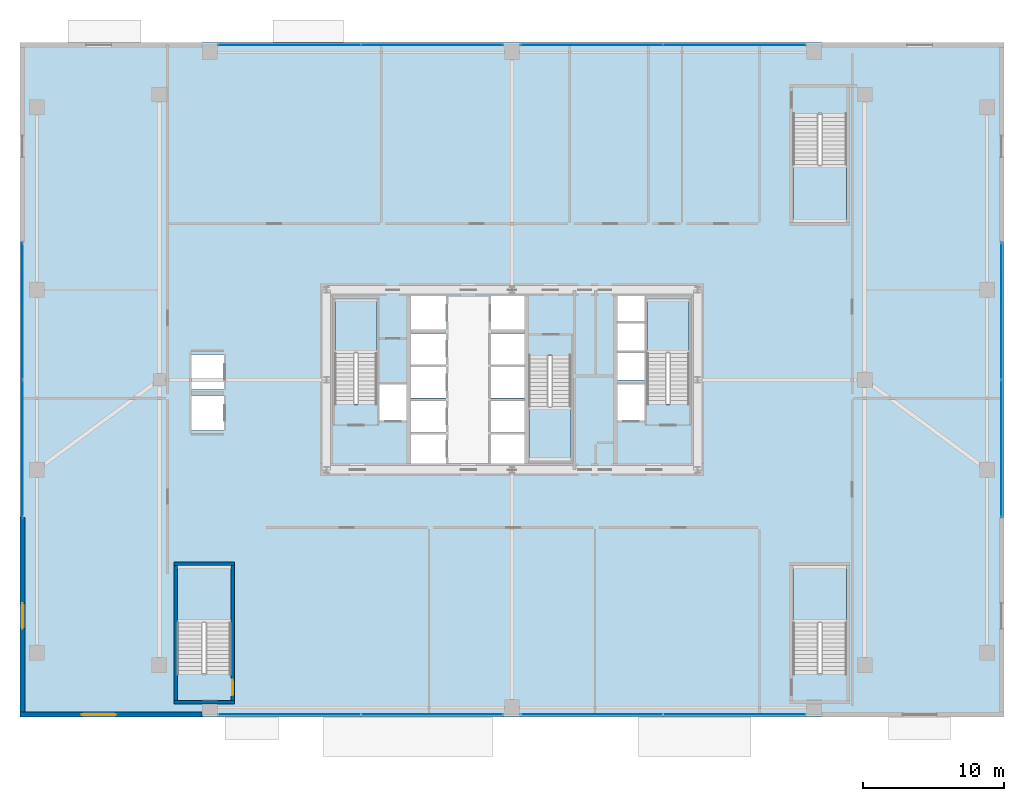
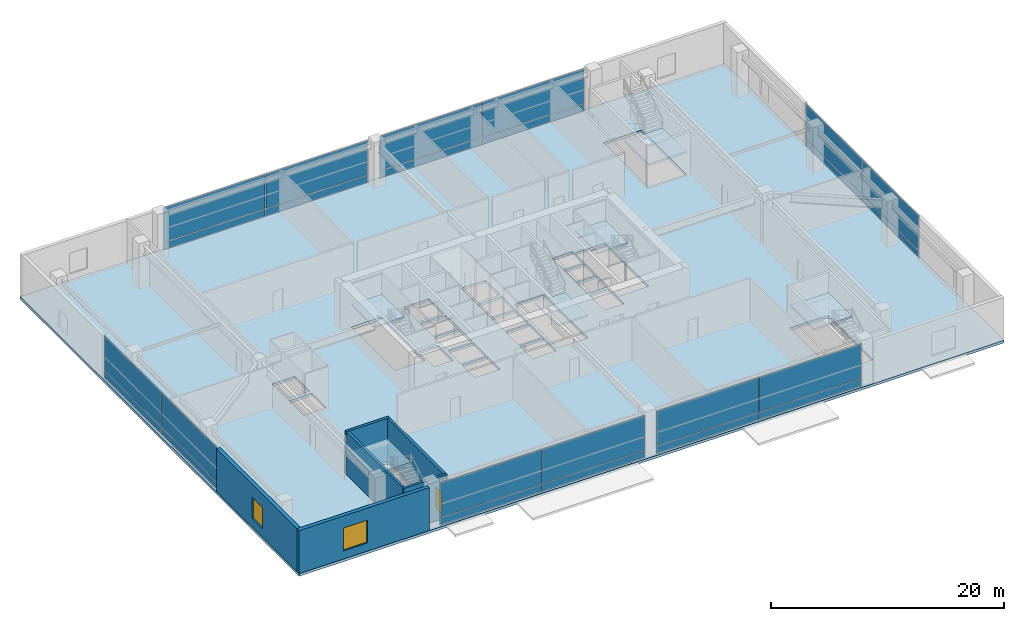
# One storey, part 30 of 37: 24 plates, 7 slabs, 6 walls, 2 windows, 1 door, 3 openings, 12 elements without a shape of their own.
"""IFC4 building model written with IfcOpenShell, lengths in metres."""

import ifcopenshell
import ifcopenshell.guid

model = None  # the IFC model being written
_history = None  # IfcOwnerHistory: only IFC2X3 demands one
_inside = {}  # id of a spatial element -> (the spatial element, [elements in it])
_under = {}  # id of a project, library or spatial element -> (it, [spatial elements below it])
_declared = {}  # id of a project -> (the project, [libraries it declares])
_typed = {}  # id of a type object -> (the type object, [elements of that type])
_made_of = {}  # id of a material, layer set ... -> (it, [elements and type objects made of it])


def new_model(schema):
    """Start an empty IFC model of exactly this schema.

    Asked for "IFC4X3", IfcOpenShell would pick the latest addendum, in which some entities
    have other attributes; the version numbers below select the first issue.
    IFC2X3 requires an IfcOwnerHistory on every rooted entity: one is made here for all.
    """
    global model, _history
    if schema == "IFC4X3":
        model = ifcopenshell.file(schema_version=(4, 3, 0, 0))
    else:
        model = ifcopenshell.file(schema=schema)
    _inside.clear()
    _under.clear()
    _declared.clear()
    _typed.clear()
    _made_of.clear()
    _history = None
    if model.schema == "IFC2X3":
        org = make("IfcOrganization", Name="unknown")
        user = make(
            "IfcPersonAndOrganization",
            ThePerson=make("IfcPerson", FamilyName="unknown"),
            TheOrganization=org,
        )
        app = make(
            "IfcApplication",
            ApplicationDeveloper=org,
            Version="unknown",
            ApplicationFullName="unknown",
            ApplicationIdentifier="unknown",
        )
        _history = make(
            "IfcOwnerHistory",
            OwningUser=user,
            OwningApplication=app,
            ChangeAction="ADDED",
            CreationDate=0,
        )
    return model


def make(cls, **values):
    """One entity of the class cls with the attributes given. An attribute that is None is left unset."""
    return model.create_entity(
        cls, **{name: value for name, value in values.items() if value is not None}
    )


def rooted(cls, **values):
    """An entity with a GlobalId (a new one), such as an element, a storey or a relation."""
    return make(cls, GlobalId=ifcopenshell.guid.new(), OwnerHistory=_history, **values)


def si_unit(unit_type, name, prefix=None):
    """IfcSIUnit, for example si_unit("LENGTHUNIT", "METRE", prefix="MILLI")."""
    return make("IfcSIUnit", UnitType=unit_type, Prefix=prefix, Name=name)


def assignment(units):
    """IfcUnitAssignment: the units of a project."""
    return None if units is None else make("IfcUnitAssignment", Units=units)


def point(xyz):
    """IfcCartesianPoint."""
    return None if xyz is None else make("IfcCartesianPoint", Coordinates=xyz)


def direction(xyz):
    """IfcDirection."""
    return None if xyz is None else make("IfcDirection", DirectionRatios=xyz)


def frame(location, z_axis=None, x_axis=None):
    """IfcAxis2Placement3D, a coordinate frame: its origin and axes. An axis left out is left unset."""
    return make(
        "IfcAxis2Placement3D",
        Location=point(location),
        Axis=direction(z_axis),
        RefDirection=direction(x_axis),
    )


def frame_2d(location, x_axis=None):
    """IfcAxis2Placement2D, a coordinate frame in the plane: its origin and x axis."""
    return make(
        "IfcAxis2Placement2D", Location=point(location), RefDirection=direction(x_axis)
    )


def origin():
    """The frame at (0, 0, 0) with its axes left unset."""
    return frame((0.0, 0.0, 0.0))


def origin_2d():
    """The frame at (0, 0) in the plane with its x axis left unset."""
    return frame_2d((0.0, 0.0))


def place(relative_to, where):
    """IfcLocalPlacement: puts the frame where relative to a parent placement (None: the world)."""
    return make(
        "IfcLocalPlacement", PlacementRelTo=relative_to, RelativePlacement=where
    )


def context(
    kind, dimensions, precision=None, world=None, true_north=None, identifier=None
):
    """IfcGeometricRepresentationContext, for example the 3D "Model" context."""
    return make(
        "IfcGeometricRepresentationContext",
        ContextIdentifier=identifier,
        ContextType=kind,
        CoordinateSpaceDimension=dimensions,
        Precision=precision,
        WorldCoordinateSystem=world,
        TrueNorth=true_north,
    )


def subcontext(parent, identifier, kind, view, scale=None):
    """IfcGeometricRepresentationSubContext, for example "Body" below "Model"."""
    return make(
        "IfcGeometricRepresentationSubContext",
        ContextIdentifier=identifier,
        ContextType=kind,
        ParentContext=parent,
        TargetScale=scale,
        TargetView=view,
    )


def project(units=None, contexts=None):
    """IfcProject with its units and contexts."""
    return rooted(
        "IfcProject",
        Name="project",
        RepresentationContexts=contexts,
        UnitsInContext=assignment(units),
    )


def spatial(cls, under=None, at=None, **own):
    """A site, building, storey or space (cls), placed at a placement, below another one or the project."""
    s = rooted(cls, ObjectPlacement=at, **own)
    if under is not None:
        _under.setdefault(under.id(), (under, []))[1].append(s)
    return s


def polyline(points):
    """IfcPolyline through the points."""
    return make("IfcPolyline", Points=[point(p) for p in points])


def profile(cls, at=None, kind="AREA", **sizes):
    """A parametric profile (cls). Its sizes go by their IFC names, for example OverallWidth=200.0."""
    return make(cls, ProfileType=kind, Position=at, **sizes)


def rectangle(**sizes):
    """IfcRectangleProfileDef."""
    return profile("IfcRectangleProfileDef", **sizes)


def outline(outer, holes=None, kind="AREA"):
    """IfcArbitraryClosedProfileDef: a profile drawn as a closed curve; with holes, ...WithVoids."""
    if holes is None:
        return make("IfcArbitraryClosedProfileDef", ProfileType=kind, OuterCurve=outer)
    return make(
        "IfcArbitraryProfileDefWithVoids",
        ProfileType=kind,
        OuterCurve=outer,
        InnerCurves=holes,
    )


def extrude(swept, where, along, depth):
    """IfcExtrudedAreaSolid: the profile swept, set in the frame where, extruded along a direction by depth."""
    return make(
        "IfcExtrudedAreaSolid",
        SweptArea=swept,
        Position=where,
        ExtrudedDirection=direction(along),
        Depth=depth,
    )


def shape(context_of_items, identifier, shape_type, items):
    """IfcShapeRepresentation: the items that make up one representation, for example the "Body"."""
    return make(
        "IfcShapeRepresentation",
        ContextOfItems=context_of_items,
        RepresentationIdentifier=identifier,
        RepresentationType=shape_type,
        Items=items,
    )


def source(mapping_origin, context_of_items, identifier, shape_type, items):
    """IfcRepresentationMap: a shape defined once, which mapped items show again and again."""
    return make(
        "IfcRepresentationMap",
        MappingOrigin=mapping_origin,
        MappedRepresentation=shape(context_of_items, identifier, shape_type, items),
    )


def transform(
    local_origin,
    x_axis=None,
    y_axis=None,
    z_axis=None,
    scale=None,
    scale2=None,
    scale3=None,
    uniform=True,
):
    """IfcCartesianTransformationOperator3D, or its non-uniform kind. x_axis, y_axis, z_axis: its Axis1, 2, 3."""
    if uniform:
        return make(
            "IfcCartesianTransformationOperator3D",
            Axis1=direction(x_axis),
            Axis2=direction(y_axis),
            LocalOrigin=point(local_origin),
            Scale=scale,
            Axis3=direction(z_axis),
        )
    return make(
        "IfcCartesianTransformationOperator3DnonUniform",
        Axis1=direction(x_axis),
        Axis2=direction(y_axis),
        LocalOrigin=point(local_origin),
        Scale=scale,
        Axis3=direction(z_axis),
        Scale2=scale2,
        Scale3=scale3,
    )


def mapped(mapping_source, mapping_target):
    """IfcMappedItem: shows the shape of a source again, moved by a transform."""
    return make(
        "IfcMappedItem", MappingSource=mapping_source, MappingTarget=mapping_target
    )


def material(Name=None, Category=None):
    """IfcMaterial."""
    return make("IfcMaterial", Name=Name, Category=Category)


def layer(
    of_material, thickness, ventilated=None, Name=None, Category=None, Priority=None
):
    """IfcMaterialLayer: one layer of a wall or slab, of a material (None: an air gap)."""
    return make(
        "IfcMaterialLayer",
        Material=of_material,
        LayerThickness=thickness,
        IsVentilated=ventilated,
        Name=Name,
        Category=Category,
        Priority=Priority,
    )


def layer_set(layers, Name=None):
    """IfcMaterialLayerSet."""
    return make("IfcMaterialLayerSet", MaterialLayers=layers, LayerSetName=Name)


def made_of(thing, what):
    """Note that an element or type object is made of a material, layer set ...; save() writes the relation."""
    if what is not None:
        _made_of.setdefault(what.id(), (what, []))[1].append(thing)
    return thing


def type_object(cls, material=None, **own):
    """A type object (cls), such as IfcWallType, which elements share."""
    return made_of(rooted(cls, **own), material)


def element(
    cls,
    number,
    at=None,
    inside=None,
    cuts=None,
    type_object=None,
    material=None,
    context=None,
    identifier="Body",
    shape_type=None,
    held_by="IfcProductDefinitionShape",
    body=None,
    shapes=None,
    **own,
):
    """One element of the class cls, such as IfcWall. Its Tag is "e" and its number.

    at: its placement. inside: the storey or other place that contains it. cuts: it is an
    opening in that element (IfcRelVoidsElement). A single representation is given by context,
    identifier, shape_type and body (its items); several are given by shapes. held_by: the class
    of the entity that holds the representations. save() writes the other relations.
    """
    e = rooted(cls, Tag="e%d" % number, ObjectPlacement=at, **own)
    if body is not None:
        shapes = [shape(context, identifier, shape_type, body)]
    if shapes is not None:
        e.Representation = make(held_by, Representations=shapes)
    if inside is not None:
        _inside.setdefault(inside.id(), (inside, []))[1].append(e)
    if cuts is not None:
        rooted(
            "IfcRelVoidsElement", RelatingBuildingElement=cuts, RelatedOpeningElement=e
        )
    if type_object is not None:
        _typed.setdefault(type_object.id(), (type_object, []))[1].append(e)
    return made_of(e, material)


def fill(opening, filler):
    """IfcRelFillsElement: the door or window that sits in an opening."""
    return rooted(
        "IfcRelFillsElement",
        RelatingOpeningElement=opening,
        RelatedBuildingElement=filler,
    )


def aggregate(whole, parts):
    """IfcRelAggregates: a whole, such as a stair, and the parts it consists of."""
    return rooted("IfcRelAggregates", RelatingObject=whole, RelatedObjects=parts)


def save(model, path):
    """Write the relations noted so far, then the file.

    IfcRelAggregates (storeys below a building ...), IfcRelContainedInSpatialStructure (elements
    in a storey), IfcRelDefinesByType, IfcRelAssociatesMaterial and IfcRelDeclares: one each for
    every whole, place, type object, material and project.
    """
    for whole, parts in _under.values():
        aggregate(whole, parts)
    for where, things in _inside.values():
        rooted(
            "IfcRelContainedInSpatialStructure",
            RelatedElements=things,
            RelatingStructure=where,
        )
    for kind, things in _typed.values():
        rooted("IfcRelDefinesByType", RelatedObjects=things, RelatingType=kind)
    for what, things in _made_of.values():
        rooted("IfcRelAssociatesMaterial", RelatedObjects=things, RelatingMaterial=what)
    for by, libraries in _declared.values():
        rooted("IfcRelDeclares", RelatingContext=by, RelatedDefinitions=libraries)
    model.write(path)


model = new_model("IFC4")

# Units and contexts
model_context = context("Model", 3, precision=1e-05, world=origin(), true_north=direction((0.0, 1.0)))
body_context = subcontext(model_context, "Body", "Model", "MODEL_VIEW")
ifc_project = project(units=[si_unit("LENGTHUNIT", "METRE"), si_unit("AREAUNIT", "SQUARE_METRE"), si_unit("VOLUMEUNIT", "CUBIC_METRE"), si_unit("PLANEANGLEUNIT", "RADIAN"), si_unit("MASSUNIT", "GRAM", prefix="KILO"), si_unit("THERMODYNAMICTEMPERATUREUNIT", "KELVIN"), si_unit("POWERUNIT", "WATT")], contexts=[model_context])

# Site, building, storey
site_placement = place(None, origin())
site = spatial("IfcSite", under=ifc_project, at=site_placement, CompositionType="ELEMENT")
building_placement = place(site_placement, origin())
building = spatial("IfcBuilding", under=site, at=building_placement, Name="Yuzanri Waterfront Tower", CompositionType="ELEMENT")
storey_placement = place(building_placement, frame((0.0, 0.0, 5.39990234375)))
storey = spatial("IfcBuildingStorey", under=building, at=storey_placement, Name="L02", CompositionType="ELEMENT", Elevation=5.39990234375)

# Stair, slab
ifc_material_1 = material(Name="Concrete C40", Category="concrete")
stair_type_1 = type_object("IfcStairType", Name="Concrete C40 Core Dogleg Exit Stair", PredefinedType="HALF_TURN_STAIR", material=ifc_material_1)
stair_1_placement = place(storey_placement, origin())
stair_1 = element("IfcStair", 1, at=stair_1_placement, inside=storey, type_object=stair_type_1, Name="L02 Smoke-Proof Core Stair ST-01", PredefinedType="HALF_TURN_STAIR")
ifc_material_2 = material(Name="Concrete C40", Category="concrete")
ifc_layer_1 = layer(ifc_material_2, 0.179931640625)
ifc_layer_set_1 = layer_set([ifc_layer_1], Name="Concrete C40")
slab_type_1 = type_object("IfcSlabType", Name="Concrete C40 Stair Half-Landing Slab 180", PredefinedType="LANDING", material=ifc_layer_set_1)
slab_1_placement = place(storey_placement, frame((0.0, 0.0, 2.2001953125)))
slab_1 = element("IfcSlab", 2, at=slab_1_placement, type_object=slab_type_1, Name="ST-01 landing 1", PredefinedType="LANDING", context=body_context, shape_type="SweptSolid", body=[
    extrude(outline(polyline([(27.39990234375, 27.679931640625), (27.39990234375, 31.580078125), (24.39990234375, 31.580078125), (24.39990234375, 27.679931640625), (27.39990234375, 27.679931640625)])), origin(), (0.0, 0.0, 1.0), 0.199951171875),
])
aggregate(stair_1, [slab_1])

stair_2_placement = place(storey_placement, origin())
stair_2 = element("IfcStair", 3, at=stair_2_placement, inside=storey, type_object=stair_type_1, Name="L02 Smoke-Proof Core Stair ST-02", PredefinedType="HALF_TURN_STAIR")
slab_2_placement = place(storey_placement, frame((0.0, 0.0, 2.2001953125)))
slab_2 = element("IfcSlab", 4, at=slab_2_placement, type_object=slab_type_1, Name="ST-02 landing 1", PredefinedType="LANDING", context=body_context, shape_type="SweptSolid", body=[
    extrude(outline(polyline([(49.60009765625, 27.679931640625), (49.60009765625, 31.580078125), (46.60009765625, 31.580078125), (46.60009765625, 27.679931640625), (49.60009765625, 27.679931640625)])), origin(), (0.0, 0.0, 1.0), 0.199951171875),
])
aggregate(stair_2, [slab_2])

stair_3_placement = place(storey_placement, origin())
stair_3 = element("IfcStair", 5, at=stair_3_placement, inside=storey, type_object=stair_type_1, Name="L02 Smoke-Proof Core Stair ST-03", PredefinedType="HALF_TURN_STAIR")
slab_3_placement = place(storey_placement, frame((0.0, 0.0, 2.2001953125)))
slab_3 = element("IfcSlab", 6, at=slab_3_placement, type_object=slab_type_1, Name="ST-03 landing 1", PredefinedType="LANDING", context=body_context, shape_type="SweptSolid", body=[
    extrude(outline(polyline([(38.199951171875, 23.919921875), (38.199951171875, 20.02001953125), (41.199951171875, 20.02001953125), (41.199951171875, 23.919921875), (38.199951171875, 23.919921875)])), origin(), (0.0, 0.0, 1.0), 0.199951171875),
])
aggregate(stair_3, [slab_3])

ifc_material_3 = material(Name="Concrete C40", Category="concrete")
stair_type_2 = type_object("IfcStairType", Name="Concrete C40 Podium Dogleg Exit Stair", PredefinedType="HALF_TURN_STAIR", material=ifc_material_3)
stair_4_placement = place(storey_placement, origin())
stair_4 = element("IfcStair", 7, at=stair_4_placement, inside=storey, type_object=stair_type_2, Name="L02 Podium Public Exit Stair PST-01", PredefinedType="HALF_TURN_STAIR")
slab_4_placement = place(storey_placement, frame((0.0, 0.0, 2.2001953125)))
slab_4 = element("IfcSlab", 8, at=slab_4_placement, type_object=slab_type_1, Name="PST-01 landing 1", PredefinedType="LANDING", context=body_context, shape_type="SweptSolid", body=[
    extrude(outline(polyline([(17.0, 8.489990234375), (17.0, 12.60009765625), (13.199951171875, 12.60009765625), (13.199951171875, 8.489990234375), (17.0, 8.489990234375)])), origin(), (0.0, 0.0, 1.0), 0.199951171875),
])
aggregate(stair_4, [slab_4])

stair_5_placement = place(storey_placement, origin())
stair_5 = element("IfcStair", 9, at=stair_5_placement, inside=storey, type_object=stair_type_2, Name="L02 Podium Public Exit Stair PST-02", PredefinedType="HALF_TURN_STAIR")
slab_5_placement = place(storey_placement, frame((0.0, 0.0, 2.2001953125)))
slab_5 = element("IfcSlab", 10, at=slab_5_placement, type_object=slab_type_1, Name="PST-02 landing 1", PredefinedType="LANDING", context=body_context, shape_type="SweptSolid", body=[
    extrude(outline(polyline([(60.800048828125, 8.489990234375), (60.800048828125, 12.60009765625), (57.0, 12.60009765625), (57.0, 8.489990234375), (60.800048828125, 8.489990234375)])), origin(), (0.0, 0.0, 1.0), 0.199951171875),
])
aggregate(stair_5, [slab_5])

stair_6_placement = place(storey_placement, origin())
stair_6 = element("IfcStair", 11, at=stair_6_placement, inside=storey, type_object=stair_type_2, Name="L02 Podium Public Exit Stair PST-03", PredefinedType="HALF_TURN_STAIR")
slab_6_placement = place(storey_placement, frame((0.0, 0.0, 2.2001953125)))
slab_6 = element("IfcSlab", 12, at=slab_6_placement, type_object=slab_type_1, Name="PST-03 landing 1", PredefinedType="LANDING", context=body_context, shape_type="SweptSolid", body=[
    extrude(outline(polyline([(57.0, 41.110107421875), (57.0, 37.0), (60.800048828125, 37.0), (60.800048828125, 41.110107421875), (57.0, 41.110107421875)])), origin(), (0.0, 0.0, 1.0), 0.199951171875),
])
aggregate(stair_6, [slab_6])

# Slab
ifc_material_4 = material(Name="Concrete C45", Category="concrete")
ifc_layer_2 = layer(ifc_material_4, 0.280029296875)
ifc_layer_set_2 = layer_set([ifc_layer_2], Name="Concrete C45")
slab_type_2 = type_object("IfcSlabType", Name="Concrete C45 Podium and Refuge Structural Floor Slab 280", PredefinedType="FLOOR", material=ifc_layer_set_2)
slab_7_placement = place(storey_placement, frame((0.0, 0.0, -0.27978515625)))
element("IfcSlab", 13, at=slab_7_placement, inside=storey, type_object=slab_type_2, Name="L02 Main Structural Floor Slab", PredefinedType="FLOOR", context=body_context, shape_type="SweptSolid", body=[
    extrude(outline(polyline([(2.0, 1.800048828125), (72.0, 1.800048828125), (72.0, 49.800048828125), (2.0, 49.800048828125), (2.0, 1.800048828125)]), holes=[polyline([(27.39990234375, 24.10009765625), (27.39990234375, 31.580078125), (24.39990234375, 31.580078125), (24.39990234375, 24.10009765625), (27.39990234375, 24.10009765625)]), polyline([(49.60009765625, 24.10009765625), (49.60009765625, 31.580078125), (46.60009765625, 31.580078125), (46.60009765625, 24.10009765625), (49.60009765625, 24.10009765625)]), polyline([(38.199951171875, 27.5), (38.199951171875, 20.02001953125), (41.199951171875, 20.02001953125), (41.199951171875, 27.5), (38.199951171875, 27.5)]), polyline([(17.0, 4.909912109375), (17.0, 12.60009765625), (13.199951171875, 12.60009765625), (13.199951171875, 4.909912109375), (17.0, 4.909912109375)]), polyline([(60.800048828125, 4.909912109375), (60.800048828125, 12.60009765625), (57.0, 12.60009765625), (57.0, 4.909912109375), (60.800048828125, 4.909912109375)]), polyline([(57.0, 44.68994140625), (57.0, 37.0), (60.800048828125, 37.0), (60.800048828125, 44.68994140625), (57.0, 44.68994140625)]), polyline([(27.56005859375, 22.89990234375), (29.47998046875, 22.89990234375), (29.47998046875, 25.5), (27.56005859375, 25.5), (27.56005859375, 22.89990234375)]), polyline([(44.52001953125, 22.89990234375), (46.43994140625, 22.89990234375), (46.43994140625, 25.5), (44.52001953125, 25.5), (44.52001953125, 22.89990234375)]), polyline([(29.800048828125, 19.699951171875), (32.300048828125, 19.699951171875), (32.300048828125, 21.89990234375), (29.800048828125, 21.89990234375), (29.800048828125, 19.699951171875)]), polyline([(29.800048828125, 22.10009765625), (32.300048828125, 22.10009765625), (32.300048828125, 24.300048828125), (29.800048828125, 24.300048828125), (29.800048828125, 22.10009765625)]), polyline([(29.800048828125, 24.5), (32.300048828125, 24.5), (32.300048828125, 26.699951171875), (29.800048828125, 26.699951171875), (29.800048828125, 24.5)]), polyline([(29.800048828125, 26.89990234375), (32.300048828125, 26.89990234375), (32.300048828125, 29.10009765625), (29.800048828125, 29.10009765625), (29.800048828125, 26.89990234375)]), polyline([(29.800048828125, 29.39990234375), (32.300048828125, 29.39990234375), (32.300048828125, 31.89990234375), (29.800048828125, 31.89990234375), (29.800048828125, 29.39990234375)]), polyline([(35.5, 19.699951171875), (37.89990234375, 19.699951171875), (37.89990234375, 21.89990234375), (35.5, 21.89990234375), (35.5, 19.699951171875)]), polyline([(35.5, 22.10009765625), (37.89990234375, 22.10009765625), (37.89990234375, 24.300048828125), (35.5, 24.300048828125), (35.5, 22.10009765625)]), polyline([(35.5, 24.5), (37.89990234375, 24.5), (37.89990234375, 26.699951171875), (35.5, 26.699951171875), (35.5, 24.5)]), polyline([(35.5, 26.89990234375), (37.89990234375, 26.89990234375), (37.89990234375, 29.10009765625), (35.5, 29.10009765625), (35.5, 26.89990234375)]), polyline([(35.5, 29.39990234375), (37.89990234375, 29.39990234375), (37.89990234375, 31.89990234375), (35.5, 31.89990234375), (35.5, 29.39990234375)]), polyline([(44.5, 25.800048828125), (46.5, 25.800048828125), (46.5, 27.699951171875), (44.5, 27.699951171875), (44.5, 25.800048828125)]), polyline([(44.5, 27.89990234375), (46.5, 27.89990234375), (46.5, 29.800048828125), (44.5, 29.800048828125), (44.5, 27.89990234375)]), polyline([(44.5, 30.0), (46.5, 30.0), (46.5, 31.89990234375), (44.5, 31.89990234375), (44.5, 30.0)]), polyline([(14.199951171875, 22.199951171875), (16.5, 22.199951171875), (16.5, 24.699951171875), (14.199951171875, 24.699951171875), (14.199951171875, 22.199951171875)]), polyline([(14.199951171875, 25.10009765625), (16.5, 25.10009765625), (16.5, 27.60009765625), (14.199951171875, 27.60009765625), (14.199951171875, 25.10009765625)])]), origin(), (0.0, 0.0, 1.0), 0.27978515625),
])

# Curtain wall, plates
ifc_material_5 = material(Name="Anodized Architectural Bronze", Category="metal")
ifc_layer_3 = layer(ifc_material_5, 0.159912109375)
ifc_layer_set_3 = layer_set([ifc_layer_3], Name="Anodized Architectural Bronze")
curtain_wall_type = type_object("IfcCurtainWallType", Name="Anodized Bronze Podium Waterfront Double-Height Unitized Curtain Wall 8400", PredefinedType="NOTDEFINED", material=ifc_layer_set_3)
curtain_wall_1_placement = place(storey_placement, origin())
curtain_wall_1 = element("IfcCurtainWall", 14, at=curtain_wall_1_placement, inside=storey, type_object=curtain_wall_type, Name="L02 Curtain Wall CW-L02-W", PredefinedType="NOTDEFINED")
ifc_material_6 = material(Name="Anodized Architectural Bronze", Category="metal")
ifc_layer_4 = layer(ifc_material_6, 0.028076171875)
ifc_layer_set_4 = layer_set([ifc_layer_4], Name="Anodized Architectural Bronze")
plate_type_1 = type_object("IfcPlateType", Name="Bronze Insulated Spandrel Shadow-Box Panel 28", PredefinedType="CURTAIN_PANEL", material=ifc_layer_set_4)
shared_shape_1 = source(origin(), body_context, "Body", "SweptSolid", [
    extrude(rectangle(XDim=9.719970703125, YDim=0.028076171875, at=origin_2d()), origin(), (0.0, 0.0, 1.0), 0.739990234375),
])
plate_1_placement = place(storey_placement, frame((2.179931640625, 20.89990234375, 0.05029296875), z_axis=(0.0, 0.0, 1.0), x_axis=(0.0, 1.0, 0.0)))
plate_1 = element("IfcPlate", 15, at=plate_1_placement, type_object=plate_type_1, Name="CW-L02-W Spandrel Panel 01", PredefinedType="CURTAIN_PANEL", context=body_context, shape_type="MappedRepresentation", body=[
    mapped(shared_shape_1, transform((0.0, 0.0, 0.0), scale=1.0)),
])
plate_2_placement = place(storey_placement, frame((2.179931640625, 30.699951171875, 0.05029296875), z_axis=(0.0, 0.0, 1.0), x_axis=(0.0, 1.0, 0.0)))
plate_2 = element("IfcPlate", 16, at=plate_2_placement, type_object=plate_type_1, Name="CW-L02-W Spandrel Panel 02", PredefinedType="CURTAIN_PANEL", context=body_context, shape_type="MappedRepresentation", body=[
    mapped(shared_shape_1, transform((0.0, 0.0, 0.0), scale=1.0)),
])

curtain_wall_2_placement = place(storey_placement, origin())
curtain_wall_2 = element("IfcCurtainWall", 17, at=curtain_wall_2_placement, inside=storey, type_object=curtain_wall_type, Name="L02 Curtain Wall CW-L02-E", PredefinedType="NOTDEFINED")
plate_3_placement = place(storey_placement, frame((71.820068359375, 20.89990234375, 0.05029296875), z_axis=(0.0, 0.0, 1.0), x_axis=(0.0, 1.0, 0.0)))
plate_3 = element("IfcPlate", 18, at=plate_3_placement, type_object=plate_type_1, Name="CW-L02-E Spandrel Panel 01", PredefinedType="CURTAIN_PANEL", context=body_context, shape_type="MappedRepresentation", body=[
    mapped(shared_shape_1, transform((0.0, 0.0, 0.0), scale=1.0)),
])
plate_4_placement = place(storey_placement, frame((71.820068359375, 30.699951171875, 0.05029296875), z_axis=(0.0, 0.0, 1.0), x_axis=(0.0, 1.0, 0.0)))
plate_4 = element("IfcPlate", 19, at=plate_4_placement, type_object=plate_type_1, Name="CW-L02-E Spandrel Panel 02", PredefinedType="CURTAIN_PANEL", context=body_context, shape_type="MappedRepresentation", body=[
    mapped(shared_shape_1, transform((0.0, 0.0, 0.0), scale=1.0)),
])

curtain_wall_3_placement = place(storey_placement, origin())
curtain_wall_3 = element("IfcCurtainWall", 20, at=curtain_wall_3_placement, inside=storey, type_object=curtain_wall_type, Name="L02 Curtain Wall CW-L02-S1", PredefinedType="NOTDEFINED")
shared_shape_2 = source(origin(), body_context, "Body", "SweptSolid", [
    extrude(rectangle(XDim=10.10009765625, YDim=0.028076171875, at=origin_2d()), origin(), (0.0, 0.0, 1.0), 0.739990234375),
])
plate_5_placement = place(storey_placement, frame((21.159912109375, 1.97998046875, 0.05029296875), z_axis=(0.0, 0.0, 1.0), x_axis=(1.0, 0.0, 0.0)))
plate_5 = element("IfcPlate", 21, at=plate_5_placement, type_object=plate_type_1, Name="CW-L02-S1 Spandrel Panel 01", PredefinedType="CURTAIN_PANEL", context=body_context, shape_type="MappedRepresentation", body=[
    mapped(shared_shape_2, transform((0.0, 0.0, 0.0), scale=1.0)),
])
plate_6_placement = place(storey_placement, frame((31.340087890625, 1.97998046875, 0.05029296875), z_axis=(0.0, 0.0, 1.0), x_axis=(1.0, 0.0, 0.0)))
plate_6 = element("IfcPlate", 22, at=plate_6_placement, type_object=plate_type_1, Name="CW-L02-S1 Spandrel Panel 02", PredefinedType="CURTAIN_PANEL", context=body_context, shape_type="MappedRepresentation", body=[
    mapped(shared_shape_2, transform((0.0, 0.0, 0.0), scale=1.0)),
])

curtain_wall_4_placement = place(storey_placement, origin())
curtain_wall_4 = element("IfcCurtainWall", 23, at=curtain_wall_4_placement, inside=storey, type_object=curtain_wall_type, Name="L02 Curtain Wall CW-L02-S2", PredefinedType="NOTDEFINED")
plate_7_placement = place(storey_placement, frame((42.659912109375, 1.97998046875, 0.05029296875), z_axis=(0.0, 0.0, 1.0), x_axis=(1.0, 0.0, 0.0)))
plate_7 = element("IfcPlate", 24, at=plate_7_placement, type_object=plate_type_1, Name="CW-L02-S2 Spandrel Panel 01", PredefinedType="CURTAIN_PANEL", context=body_context, shape_type="MappedRepresentation", body=[
    mapped(shared_shape_2, transform((0.0, 0.0, 0.0), scale=1.0)),
])
plate_8_placement = place(storey_placement, frame((52.840087890625, 1.97998046875, 0.05029296875), z_axis=(0.0, 0.0, 1.0), x_axis=(1.0, 0.0, 0.0)))
plate_8 = element("IfcPlate", 25, at=plate_8_placement, type_object=plate_type_1, Name="CW-L02-S2 Spandrel Panel 02", PredefinedType="CURTAIN_PANEL", context=body_context, shape_type="MappedRepresentation", body=[
    mapped(shared_shape_2, transform((0.0, 0.0, 0.0), scale=1.0)),
])

curtain_wall_5_placement = place(storey_placement, origin())
curtain_wall_5 = element("IfcCurtainWall", 26, at=curtain_wall_5_placement, inside=storey, type_object=curtain_wall_type, Name="L02 Curtain Wall CW-L02-N1", PredefinedType="NOTDEFINED")
plate_9_placement = place(storey_placement, frame((21.159912109375, 49.6201171875, 0.05029296875), z_axis=(0.0, 0.0, 1.0), x_axis=(1.0, 0.0, 0.0)))
plate_9 = element("IfcPlate", 27, at=plate_9_placement, type_object=plate_type_1, Name="CW-L02-N1 Spandrel Panel 01", PredefinedType="CURTAIN_PANEL", context=body_context, shape_type="MappedRepresentation", body=[
    mapped(shared_shape_2, transform((0.0, 0.0, 0.0), scale=1.0)),
])
plate_10_placement = place(storey_placement, frame((31.340087890625, 49.6201171875, 0.05029296875), z_axis=(0.0, 0.0, 1.0), x_axis=(1.0, 0.0, 0.0)))
plate_10 = element("IfcPlate", 28, at=plate_10_placement, type_object=plate_type_1, Name="CW-L02-N1 Spandrel Panel 02", PredefinedType="CURTAIN_PANEL", context=body_context, shape_type="MappedRepresentation", body=[
    mapped(shared_shape_2, transform((0.0, 0.0, 0.0), scale=1.0)),
])

curtain_wall_6_placement = place(storey_placement, origin())
curtain_wall_6 = element("IfcCurtainWall", 29, at=curtain_wall_6_placement, inside=storey, type_object=curtain_wall_type, Name="L02 Curtain Wall CW-L02-N2", PredefinedType="NOTDEFINED")
plate_11_placement = place(storey_placement, frame((42.659912109375, 49.6201171875, 0.05029296875), z_axis=(0.0, 0.0, 1.0), x_axis=(1.0, 0.0, 0.0)))
plate_11 = element("IfcPlate", 30, at=plate_11_placement, type_object=plate_type_1, Name="CW-L02-N2 Spandrel Panel 01", PredefinedType="CURTAIN_PANEL", context=body_context, shape_type="MappedRepresentation", body=[
    mapped(shared_shape_2, transform((0.0, 0.0, 0.0), scale=1.0)),
])
plate_12_placement = place(storey_placement, frame((52.840087890625, 49.6201171875, 0.05029296875), z_axis=(0.0, 0.0, 1.0), x_axis=(1.0, 0.0, 0.0)))
plate_12 = element("IfcPlate", 31, at=plate_12_placement, type_object=plate_type_1, Name="CW-L02-N2 Spandrel Panel 02", PredefinedType="CURTAIN_PANEL", context=body_context, shape_type="MappedRepresentation", body=[
    mapped(shared_shape_2, transform((0.0, 0.0, 0.0), scale=1.0)),
])

# Plate
ifc_material_7 = material(Name="Double-Silver Low-E Insulated Glass", Category="glass")
ifc_layer_5 = layer(ifc_material_7, 0.035888671875)
ifc_layer_set_5 = layer_set([ifc_layer_5], Name="Double-Silver Low-E Insulated Glass")
plate_type_2 = type_object("IfcPlateType", Name="Double Silver Low-E Insulated Vision Glass Panel 36", PredefinedType="CURTAIN_PANEL", material=ifc_layer_set_5)
shared_shape_3 = source(origin(), body_context, "Body", "SweptSolid", [
    extrude(rectangle(XDim=10.10009765625, YDim=0.035888671875, at=origin_2d()), origin(), (0.0, 0.0, 1.0), 3.6201171875),
])
plate_13_placement = place(storey_placement, frame((21.159912109375, 1.97998046875, 0.85009765625), z_axis=(0.0, 0.0, 1.0), x_axis=(1.0, 0.0, 0.0)))
plate_13 = element("IfcPlate", 32, at=plate_13_placement, type_object=plate_type_2, Name="CW-L02-S1 Vision Glass Panel 01", PredefinedType="CURTAIN_PANEL", context=body_context, shape_type="MappedRepresentation", body=[
    mapped(shared_shape_3, transform((0.0, 0.0, 0.0), scale=1.0)),
])

plate_14_placement = place(storey_placement, frame((31.340087890625, 1.97998046875, 0.85009765625), z_axis=(0.0, 0.0, 1.0), x_axis=(1.0, 0.0, 0.0)))
plate_14 = element("IfcPlate", 33, at=plate_14_placement, type_object=plate_type_2, Name="CW-L02-S1 Vision Glass Panel 02", PredefinedType="CURTAIN_PANEL", context=body_context, shape_type="MappedRepresentation", body=[
    mapped(shared_shape_3, transform((0.0, 0.0, 0.0), scale=1.0)),
])

aggregate(curtain_wall_3, [plate_5, plate_13, plate_6, plate_14])

plate_15_placement = place(storey_placement, frame((42.659912109375, 1.97998046875, 0.85009765625), z_axis=(0.0, 0.0, 1.0), x_axis=(1.0, 0.0, 0.0)))
plate_15 = element("IfcPlate", 34, at=plate_15_placement, type_object=plate_type_2, Name="CW-L02-S2 Vision Glass Panel 01", PredefinedType="CURTAIN_PANEL", context=body_context, shape_type="MappedRepresentation", body=[
    mapped(shared_shape_3, transform((0.0, 0.0, 0.0), scale=1.0)),
])

plate_16_placement = place(storey_placement, frame((52.840087890625, 1.97998046875, 0.85009765625), z_axis=(0.0, 0.0, 1.0), x_axis=(1.0, 0.0, 0.0)))
plate_16 = element("IfcPlate", 35, at=plate_16_placement, type_object=plate_type_2, Name="CW-L02-S2 Vision Glass Panel 02", PredefinedType="CURTAIN_PANEL", context=body_context, shape_type="MappedRepresentation", body=[
    mapped(shared_shape_3, transform((0.0, 0.0, 0.0), scale=1.0)),
])

aggregate(curtain_wall_4, [plate_7, plate_15, plate_8, plate_16])

plate_17_placement = place(storey_placement, frame((21.159912109375, 49.6201171875, 0.85009765625), z_axis=(0.0, 0.0, 1.0), x_axis=(1.0, 0.0, 0.0)))
plate_17 = element("IfcPlate", 36, at=plate_17_placement, type_object=plate_type_2, Name="CW-L02-N1 Vision Glass Panel 01", PredefinedType="CURTAIN_PANEL", context=body_context, shape_type="MappedRepresentation", body=[
    mapped(shared_shape_3, transform((0.0, 0.0, 0.0), scale=1.0)),
])

plate_18_placement = place(storey_placement, frame((31.340087890625, 49.6201171875, 0.85009765625), z_axis=(0.0, 0.0, 1.0), x_axis=(1.0, 0.0, 0.0)))
plate_18 = element("IfcPlate", 37, at=plate_18_placement, type_object=plate_type_2, Name="CW-L02-N1 Vision Glass Panel 02", PredefinedType="CURTAIN_PANEL", context=body_context, shape_type="MappedRepresentation", body=[
    mapped(shared_shape_3, transform((0.0, 0.0, 0.0), scale=1.0)),
])

aggregate(curtain_wall_5, [plate_9, plate_17, plate_10, plate_18])

plate_19_placement = place(storey_placement, frame((42.659912109375, 49.6201171875, 0.85009765625), z_axis=(0.0, 0.0, 1.0), x_axis=(1.0, 0.0, 0.0)))
plate_19 = element("IfcPlate", 38, at=plate_19_placement, type_object=plate_type_2, Name="CW-L02-N2 Vision Glass Panel 01", PredefinedType="CURTAIN_PANEL", context=body_context, shape_type="MappedRepresentation", body=[
    mapped(shared_shape_3, transform((0.0, 0.0, 0.0), scale=1.0)),
])

plate_20_placement = place(storey_placement, frame((52.840087890625, 49.6201171875, 0.85009765625), z_axis=(0.0, 0.0, 1.0), x_axis=(1.0, 0.0, 0.0)))
plate_20 = element("IfcPlate", 39, at=plate_20_placement, type_object=plate_type_2, Name="CW-L02-N2 Vision Glass Panel 02", PredefinedType="CURTAIN_PANEL", context=body_context, shape_type="MappedRepresentation", body=[
    mapped(shared_shape_3, transform((0.0, 0.0, 0.0), scale=1.0)),
])

aggregate(curtain_wall_6, [plate_11, plate_19, plate_12, plate_20])

shared_shape_4 = source(origin(), body_context, "Body", "SweptSolid", [
    extrude(rectangle(XDim=9.719970703125, YDim=0.035888671875, at=origin_2d()), origin(), (0.0, 0.0, 1.0), 3.6201171875),
])
plate_21_placement = place(storey_placement, frame((2.179931640625, 20.89990234375, 0.85009765625), z_axis=(0.0, 0.0, 1.0), x_axis=(0.0, 1.0, 0.0)))
plate_21 = element("IfcPlate", 40, at=plate_21_placement, type_object=plate_type_2, Name="CW-L02-W Vision Glass Panel 01", PredefinedType="CURTAIN_PANEL", context=body_context, shape_type="MappedRepresentation", body=[
    mapped(shared_shape_4, transform((0.0, 0.0, 0.0), scale=1.0)),
])

plate_22_placement = place(storey_placement, frame((2.179931640625, 30.699951171875, 0.85009765625), z_axis=(0.0, 0.0, 1.0), x_axis=(0.0, 1.0, 0.0)))
plate_22 = element("IfcPlate", 41, at=plate_22_placement, type_object=plate_type_2, Name="CW-L02-W Vision Glass Panel 02", PredefinedType="CURTAIN_PANEL", context=body_context, shape_type="MappedRepresentation", body=[
    mapped(shared_shape_4, transform((0.0, 0.0, 0.0), scale=1.0)),
])

aggregate(curtain_wall_1, [plate_1, plate_21, plate_2, plate_22])

plate_23_placement = place(storey_placement, frame((71.820068359375, 20.89990234375, 0.85009765625), z_axis=(0.0, 0.0, 1.0), x_axis=(0.0, 1.0, 0.0)))
plate_23 = element("IfcPlate", 42, at=plate_23_placement, type_object=plate_type_2, Name="CW-L02-E Vision Glass Panel 01", PredefinedType="CURTAIN_PANEL", context=body_context, shape_type="MappedRepresentation", body=[
    mapped(shared_shape_4, transform((0.0, 0.0, 0.0), scale=1.0)),
])

plate_24_placement = place(storey_placement, frame((71.820068359375, 30.699951171875, 0.85009765625), z_axis=(0.0, 0.0, 1.0), x_axis=(0.0, 1.0, 0.0)))
plate_24 = element("IfcPlate", 43, at=plate_24_placement, type_object=plate_type_2, Name="CW-L02-E Vision Glass Panel 02", PredefinedType="CURTAIN_PANEL", context=body_context, shape_type="MappedRepresentation", body=[
    mapped(shared_shape_4, transform((0.0, 0.0, 0.0), scale=1.0)),
])

aggregate(curtain_wall_2, [plate_3, plate_23, plate_4, plate_24])

# Wall, opening, window
ifc_material_8 = material(Name="Honed Chongqing Dark Basalt Stone", Category="masonry")
ifc_layer_6 = layer(ifc_material_8, 0.360107421875)
ifc_layer_set_6 = layer_set([ifc_layer_6], Name="Honed Chongqing Dark Basalt Stone")
wall_type_1 = type_object("IfcWallType", Name="Honed Basalt Stone Masonry-Frame Spandrel Wall 360", PredefinedType="SOLIDWALL", material=ifc_layer_set_6)
wall_1_placement = place(storey_placement, frame((2.0, 1.97998046875, 0.0), z_axis=(0.0, 0.0, 1.0), x_axis=(1.0, 0.0, 0.0)))
wall_1 = element("IfcWall", 44, at=wall_1_placement, inside=storey, type_object=wall_type_1, Name="L02 South-West Basalt Pier", PredefinedType="SOLIDWALL", context=body_context, shape_type="SweptSolid", body=[
    extrude(rectangle(XDim=12.929931640625, YDim=0.360107421875, at=frame_2d((6.46484375, 0.0))), origin(), (0.0, 0.0, 1.0), 4.52001953125),
])
opening_1_placement = place(wall_1_placement, frame((4.39990234375, 0.0, 0.85009765625)))
opening_1 = element("IfcOpeningElement", 45, at=opening_1_placement, cuts=wall_1, Name="Opening WN-03", PredefinedType="OPENING", context=body_context, shape_type="SweptSolid", body=[
    extrude(rectangle(XDim=2.39990234375, YDim=2.39990234375, at=frame_2d((1.199951171875, 1.199951171875))), frame((0.0, 0.19482421875, 0.0), z_axis=(0.0, -1.0, 0.0), x_axis=(1.0, 0.0, 0.0)), (0.0, 0.0, 1.0), 0.389892578125),
])
ifc_material_9 = material(Name="Double-Silver Low-E Insulated Glass", Category="glass")
window_type_1 = type_object("IfcWindowType", Name="Anodized Bronze Podium Waterfront Picture Window 2400x2400", PartitioningType="SINGLE_PANEL", PredefinedType="WINDOW", material=ifc_material_9)
shared_shape_5 = source(origin(), body_context, "Body", "SweptSolid", [
    extrude(rectangle(XDim=2.39990234375, YDim=2.39990234375, at=frame_2d((1.199951171875, 1.199951171875))), frame((0.0, 0.030029296875, 0.0), z_axis=(0.0, -1.0, 0.0), x_axis=(1.0, 0.0, 0.0)), (0.0, 0.0, 1.0), 0.06005859375),
])
window_1_placement = place(opening_1_placement, origin())
window_1 = element("IfcWindow", 46, at=window_1_placement, inside=storey, type_object=window_type_1, Name="L02 SW Waterfront Window", OverallHeight=2.39990234375, OverallWidth=2.39990234375, PartitioningType="SINGLE_PANEL", PredefinedType="WINDOW", context=body_context, shape_type="MappedRepresentation", body=[
    mapped(shared_shape_5, transform((0.0, 0.0, 0.0), scale=1.0)),
])
fill(opening_1, window_1)

wall_2_placement = place(storey_placement, frame((2.179931640625, 2.159912109375, 0.0), z_axis=(0.0, 0.0, 1.0), x_axis=(0.0, 1.0, 0.0)))
wall_2 = element("IfcWall", 47, at=wall_2_placement, inside=storey, type_object=wall_type_1, Name="L02 W South Basalt Pier", PredefinedType="SOLIDWALL", context=body_context, shape_type="SweptSolid", body=[
    extrude(rectangle(XDim=13.840087890625, YDim=0.360107421875, at=frame_2d((6.919921875, 0.0))), origin(), (0.0, 0.0, 1.0), 4.52001953125),
])
opening_2_placement = place(wall_2_placement, frame((5.93994140625, 0.0, 0.89990234375)))
opening_2 = element("IfcOpeningElement", 48, at=opening_2_placement, cuts=wall_2, Name="Opening WN-01", PredefinedType="OPENING", context=body_context, shape_type="SweptSolid", body=[
    extrude(rectangle(XDim=1.800048828125, YDim=2.199951171875, at=frame_2d((0.89990234375, 1.10009765625))), frame((0.0, 0.19482421875, 0.0), z_axis=(0.0, -1.0, 0.0), x_axis=(1.0, 0.0, 0.0)), (0.0, 0.0, 1.0), 0.389892578125),
])
ifc_material_10 = material(Name="Double-Silver Low-E Insulated Glass", Category="glass")
window_type_2 = type_object("IfcWindowType", Name="Anodized Bronze Recessed Bronze Frame Double Casement Window 1800x2200", PartitioningType="SINGLE_PANEL", PredefinedType="WINDOW", material=ifc_material_10)
shared_shape_6 = source(origin(), body_context, "Body", "SweptSolid", [
    extrude(rectangle(XDim=1.800048828125, YDim=2.199951171875, at=frame_2d((0.89990234375, 1.10009765625))), frame((0.0, 0.030029296875, 0.0), z_axis=(0.0, -1.0, 0.0), x_axis=(1.0, 0.0, 0.0)), (0.0, 0.0, 1.0), 0.06005859375),
])
window_2_placement = place(opening_2_placement, origin())
window_2 = element("IfcWindow", 49, at=window_2_placement, inside=storey, type_object=window_type_2, Name="L02 WS Window", OverallHeight=2.199951171875, OverallWidth=1.800048828125, PartitioningType="SINGLE_PANEL", PredefinedType="WINDOW", context=body_context, shape_type="MappedRepresentation", body=[
    mapped(shared_shape_6, transform((0.0, 0.0, 0.0), scale=1.0)),
])
fill(opening_2, window_2)

# Wall, opening, door
ifc_material_11 = material(Name="Concrete C40", Category="concrete")
ifc_layer_7 = layer(ifc_material_11, 0.25)
ifc_layer_set_7 = layer_set([ifc_layer_7], Name="Concrete C40")
wall_type_2 = type_object("IfcWallType", Name="Smoke-Proof Stair and Lift Shaft Wall 250", PredefinedType="SOLIDWALL", material=ifc_layer_set_7)
wall_3_placement = place(storey_placement, frame((17.125, 3.0, 0.0), z_axis=(0.0, 0.0, 1.0), x_axis=(0.0, 1.0, 0.0)))
wall_3 = element("IfcWall", 50, at=wall_3_placement, inside=storey, type_object=wall_type_2, Name="L02 Shaft Wall PSTW-L02-PST-01-E", PredefinedType="SOLIDWALL", context=body_context, shape_type="SweptSolid", body=[
    extrude(rectangle(XDim=9.60009765625, YDim=0.25, at=frame_2d((4.800048828125, 0.0))), origin(), (0.0, 0.0, 1.0), 4.52001953125),
])
opening_3_placement = place(wall_3_placement, frame((0.35009765625, 0.0, 0.0)))
opening_3 = element("IfcOpeningElement", 51, at=opening_3_placement, cuts=wall_3, Name="Opening FD-1100", PredefinedType="OPENING", context=body_context, shape_type="SweptSolid", body=[
    extrude(rectangle(XDim=1.10009765625, YDim=2.199951171875, at=frame_2d((0.550048828125, 1.10009765625))), frame((0.0, 0.139892578125, 0.0), z_axis=(0.0, -1.0, 0.0), x_axis=(1.0, 0.0, 0.0)), (0.0, 0.0, 1.0), 0.27978515625),
])
ifc_material_12 = material(Name="Painted Galvanized Fire Steel", Category="steel")
door_type = type_object("IfcDoorType", Name="Smoke-Proof Stair and Lobby Fire Door 1100x2200", OperationType="NOTDEFINED", PredefinedType="DOOR", material=ifc_material_12)
shared_shape_7 = source(origin(), body_context, "Body", "SweptSolid", [
    extrude(rectangle(XDim=1.10009765625, YDim=2.199951171875, at=frame_2d((0.550048828125, 1.10009765625))), frame((0.0, 0.02490234375, 0.0), z_axis=(0.0, -1.0, 0.0), x_axis=(1.0, 0.0, 0.0)), (0.0, 0.0, 1.0), 0.050048828125),
])
door_placement = place(opening_3_placement, origin())
door = element("IfcDoor", 52, at=door_placement, inside=storey, type_object=door_type, Name="L02 PST-01 Stair Door", OperationType="SINGLE_SWING_RIGHT", OverallHeight=2.199951171875, OverallWidth=1.10009765625, PredefinedType="DOOR", context=body_context, shape_type="MappedRepresentation", body=[
    mapped(shared_shape_7, transform((0.0, 0.0, 0.0), scale=1.0)),
])
fill(opening_3, door)

# Walls
shared_shape_8 = source(origin(), body_context, "Body", "SweptSolid", [
    extrude(rectangle(XDim=4.300048828125, YDim=0.25, at=frame_2d((2.14990234375, 0.0))), origin(), (0.0, 0.0, 1.0), 4.52001953125),
])
for number, where, z_axis, x_axis, name in (
    (53, (12.949951171875, 2.875, 0.0), (0.0, 0.0, 1.0), (1.0, 0.0, 0.0), "L02 PST-01 South Wall"),
    (54, (12.949951171875, 12.72509765625, 0.0), (0.0, 0.0, 1.0), (1.0, 0.0, 0.0), "L02 PST-01 North Wall"),
):
    element("IfcWall", number, at=place(storey_placement, frame(where, z_axis=z_axis, x_axis=x_axis)), inside=storey, type_object=wall_type_2, Name=name, PredefinedType="SOLIDWALL", context=body_context, shape_type="MappedRepresentation", body=[
        mapped(shared_shape_8, transform((0.0, 0.0, 0.0), scale=1.0)),
    ])
shared_shape_9 = source(origin(), body_context, "Body", "SweptSolid", [
    extrude(rectangle(XDim=9.60009765625, YDim=0.25, at=frame_2d((4.800048828125, 0.0))), origin(), (0.0, 0.0, 1.0), 4.52001953125),
])
wall_4_placement = place(storey_placement, frame((13.074951171875, 3.0, 0.0), z_axis=(0.0, 0.0, 1.0), x_axis=(0.0, 1.0, 0.0)))
element("IfcWall", 55, at=wall_4_placement, inside=storey, type_object=wall_type_2, Name="L02 Shaft Wall PSTW-L02-PST-01-W", PredefinedType="SOLIDWALL", context=body_context, shape_type="MappedRepresentation", body=[
    mapped(shared_shape_9, transform((0.0, 0.0, 0.0), scale=1.0)),
])

save(model, "model.ifc")
